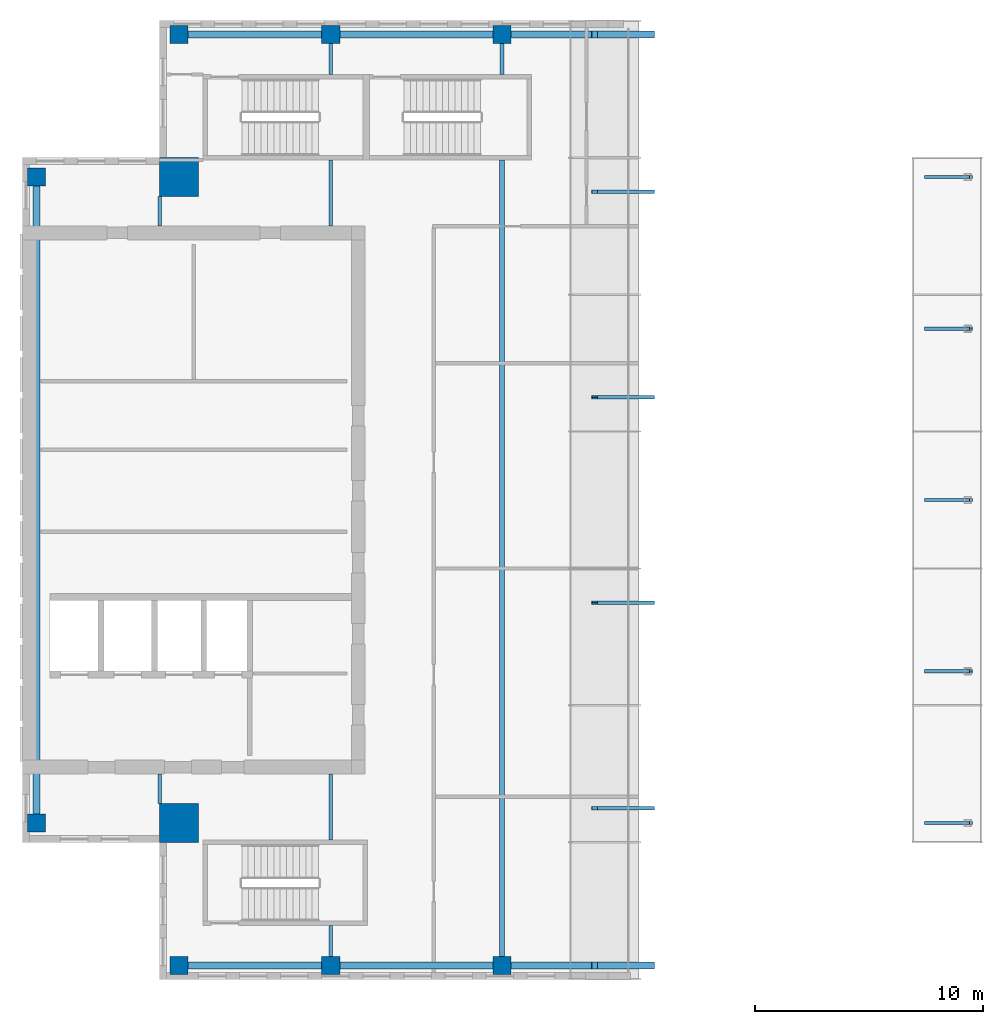
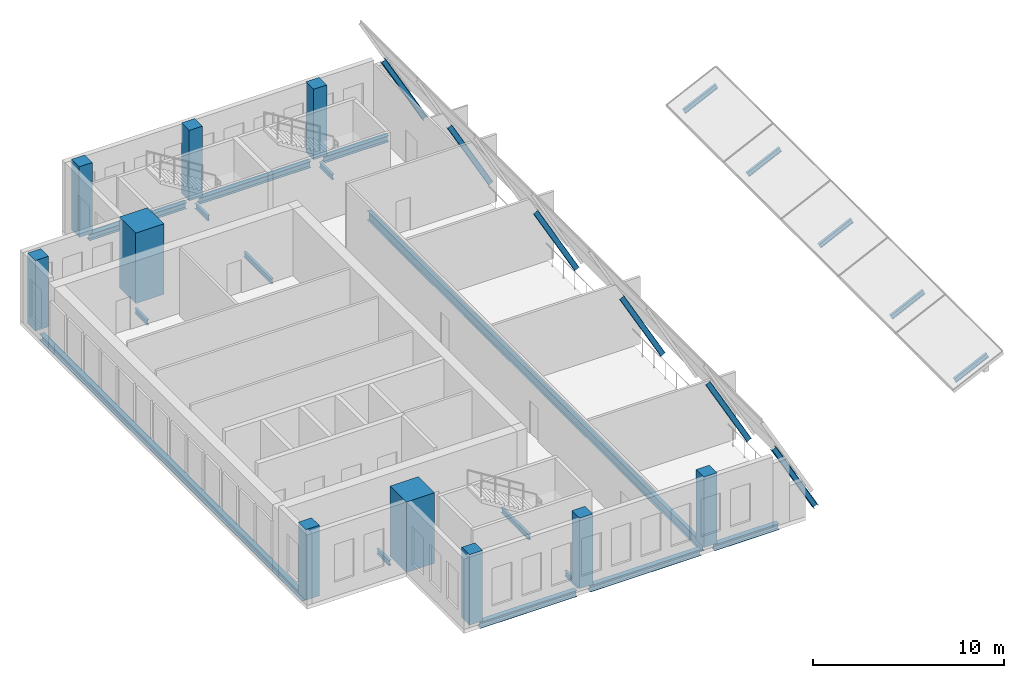
# One storey, part 1 of 7: 15 beams, 11 members, 10 columns.
"""IFC4 building model written with IfcOpenShell, lengths in metres."""

from ifc_helpers import new_model, si_unit, direction, frame, origin, origin_2d, place, context, subcontext, project, spatial, rectangle, i_section, extrude, source, transform, mapped, material, material_profile, profile_set, type_object, element, save


model = new_model("IFC4")

# Units and contexts
model_context = context("Model", 3, precision=1e-05, world=origin(), true_north=direction((0.0, 1.0)))
body_context = subcontext(model_context, "Body", "Model", "MODEL_VIEW")
ifc_project = project(units=[si_unit("LENGTHUNIT", "METRE"), si_unit("AREAUNIT", "SQUARE_METRE"), si_unit("VOLUMEUNIT", "CUBIC_METRE"), si_unit("PLANEANGLEUNIT", "RADIAN"), si_unit("MASSUNIT", "GRAM", prefix="KILO")], contexts=[model_context])

# Site, building, storey
site_placement = place(None, origin())
site = spatial("IfcSite", under=ifc_project, at=site_placement, CompositionType="ELEMENT")
building_placement = place(site_placement, origin())
building = spatial("IfcBuilding", under=site, at=building_placement, Name="Khomas Fold Tower", CompositionType="ELEMENT")
storey_placement = place(building_placement, frame((0.0, 0.0, 339.199951171875)))
storey = spatial("IfcBuildingStorey", under=building, at=storey_placement, Name="C3", CompositionType="ELEMENT", Elevation=339.199951171875)

# Columns
ifc_material_1 = material(Name="Concrete C60/75", Category="concrete")
ifc_material_profile_1 = material_profile(ifc_material_1, rectangle(XDim=1.699951171875, YDim=1.699951171875, at=origin_2d()), Name="RC 1700x1700")
ifc_profile_set_1 = profile_set([ifc_material_profile_1], Name="Concrete C60/75")
column_type_1 = type_object("IfcColumnType", Name="RC 1700x1700 column", PredefinedType="COLUMN", material=ifc_profile_set_1)
shared_shape_1 = source(origin(), body_context, "Body", "SweptSolid", [
    extrude(rectangle(XDim=1.699951171875, YDim=1.699951171875, at=origin_2d()), origin(), (0.0, 0.0, 1.0), 4.5),
])
for number, where, z_axis, x_axis, name in (
    (1, (12.85009765625, 41.14990234375, 0.0), (0.0, 0.0, 1.0), (1.0, 0.0, 0.0), "CM-NW"),
    (2, (12.85009765625, 12.85009765625, 0.0), (0.0, 0.0, 1.0), (1.0, 0.0, 0.0), "CM-SW"),
):
    element("IfcColumn", number, at=place(storey_placement, frame(where, z_axis=z_axis, x_axis=x_axis)), inside=storey, type_object=column_type_1, Name=name, PredefinedType="COLUMN", context=body_context, shape_type="MappedRepresentation", body=[
        mapped(shared_shape_1, transform((0.0, 0.0, 0.0))),
    ])
ifc_material_2 = material(Name="Concrete C50/60", Category="concrete")
ifc_material_profile_2 = material_profile(ifc_material_2, rectangle(XDim=0.800048828125, YDim=0.800048828125, at=origin_2d()), Name="RC 800x800")
ifc_profile_set_2 = profile_set([ifc_material_profile_2], Name="Concrete C50/60")
column_type_2 = type_object("IfcColumnType", Name="RC 800x800 column", PredefinedType="COLUMN", material=ifc_profile_set_2)
shared_shape_2 = source(origin(), body_context, "Body", "SweptSolid", [
    extrude(rectangle(XDim=0.800048828125, YDim=0.800048828125, at=origin_2d()), origin(), (0.0, 0.0, 1.0), 4.5),
])
for number, where, z_axis, x_axis, name in (
    (3, (12.85009765625, 6.60009765625, 0.0), (0.0, 0.0, 1.0), (1.0, 0.0, 0.0), "C-7-SF5"),
    (4, (19.5, 6.60009765625, 0.0), (0.0, 0.0, 1.0), (1.0, 0.0, 0.0), "C-8-SF5"),
    (5, (27.0, 6.60009765625, 0.0), (0.0, 0.0, 1.0), (1.0, 0.0, 0.0), "C-9-SF5"),
    (6, (12.85009765625, 47.39990234375, 0.0), (0.0, 0.0, 1.0), (1.0, 0.0, 0.0), "C-7-NF5"),
    (7, (19.5, 47.39990234375, 0.0), (0.0, 0.0, 1.0), (1.0, 0.0, 0.0), "C-8-NF5"),
    (8, (27.0, 47.39990234375, 0.0), (0.0, 0.0, 1.0), (1.0, 0.0, 0.0), "C-9-NF5"),
    (9, (6.60009765625, 12.85009765625, 0.0), (0.0, 0.0, 1.0), (1.0, 0.0, 0.0), "C-W5-G"),
    (10, (6.60009765625, 41.14990234375, 0.0), (0.0, 0.0, 1.0), (1.0, 0.0, 0.0), "C-W5-Q"),
):
    element("IfcColumn", number, at=place(storey_placement, frame(where, z_axis=z_axis, x_axis=x_axis)), inside=storey, type_object=column_type_2, Name=name, PredefinedType="COLUMN", context=body_context, shape_type="MappedRepresentation", body=[
        mapped(shared_shape_2, transform((0.0, 0.0, 0.0))),
    ])

# Beams
ifc_material_3 = material(Name="Steel S355", Category="steel")
ifc_material_profile_3 = material_profile(ifc_material_3, i_section(OverallWidth=0.159912109375, OverallDepth=0.330078125, WebThickness=0.007568359375, FlangeThickness=0.011474609375, at=origin_2d()), Name="IPE 330")
ifc_profile_set_3 = profile_set([ifc_material_profile_3], Name="Steel S355")
beam_type_1 = type_object("IfcBeamType", Name="IPE 330 beam JB1", PredefinedType="BEAM", material=ifc_profile_set_3)
shared_shape_3 = source(origin(), body_context, "Body", "SweptSolid", [
    extrude(i_section(OverallWidth=0.159912109375, OverallDepth=0.330078125, WebThickness=0.007568359375, FlangeThickness=0.011474609375, at=origin_2d()), origin(), (0.0, 0.0, 1.0), 2.89990234375),
])
for number, where, z_axis, x_axis, name in (
    (11, (19.5, 12.10009765625, -0.4150390625), (0.0, 1.0, 0.0), (-1.0, 0.0, 0.0), "JB1"),
    (12, (19.5, 39.0, -0.4150390625), (0.0, 1.0, 0.0), (-1.0, 0.0, 0.0), "JB1"),
):
    element("IfcBeam", number, at=place(storey_placement, frame(where, z_axis=z_axis, x_axis=x_axis)), inside=storey, type_object=beam_type_1, Name=name, PredefinedType="BEAM", context=body_context, shape_type="MappedRepresentation", body=[
        mapped(shared_shape_3, transform((0.0, 0.0, 0.0))),
    ])
shared_shape_4 = source(origin(), body_context, "Body", "SweptSolid", [
    extrude(i_section(OverallWidth=0.159912109375, OverallDepth=0.330078125, WebThickness=0.007568359375, FlangeThickness=0.011474609375, at=origin_2d()), origin(), (0.0, 0.0, 1.0), 1.35009765625),
])
for number, where, z_axis, x_axis, name in (
    (13, (19.5, 7.0, -0.4150390625), (0.0, 1.0, 0.0), (-1.0, 0.0, 0.0), "JB1"),
    (14, (19.5, 45.64990234375, -0.4150390625), (0.0, 1.0, 0.0), (-1.0, 0.0, 0.0), "JB1"),
    (15, (27.0, 45.64990234375, -0.4150390625), (0.0, 1.0, 0.0), (-1.0, 0.0, 0.0), "JB1"),
):
    element("IfcBeam", number, at=place(storey_placement, frame(where, z_axis=z_axis, x_axis=x_axis)), inside=storey, type_object=beam_type_1, Name=name, PredefinedType="BEAM", context=body_context, shape_type="MappedRepresentation", body=[
        mapped(shared_shape_4, transform((0.0, 0.0, 0.0))),
    ])
ifc_material_4 = material(Name="Steel S355", Category="steel")
ifc_material_profile_4 = material_profile(ifc_material_4, i_section(OverallWidth=0.300048828125, OverallDepth=0.39990234375, WebThickness=0.013427734375, FlangeThickness=0.02392578125, at=origin_2d()), Name="HE 400 B")
ifc_profile_set_4 = profile_set([ifc_material_profile_4], Name="Steel S355")
beam_type_2 = type_object("IfcBeamType", Name="HE 400 B spandrel SB5", PredefinedType="SPANDREL", material=ifc_profile_set_4)
shared_shape_5 = source(origin(), body_context, "Body", "SweptSolid", [
    extrude(i_section(OverallWidth=0.300048828125, OverallDepth=0.39990234375, WebThickness=0.013427734375, FlangeThickness=0.02392578125, at=origin_2d()), origin(), (0.0, 0.0, 1.0), 5.85009765625),
])
for number, where, z_axis, x_axis, name in (
    (16, (13.25, 6.60009765625, -0.449951171875), (1.0, 0.0, 0.0), (0.0, 1.0, 0.0), "SB5"),
    (17, (13.25, 47.39990234375, -0.449951171875), (1.0, 0.0, 0.0), (0.0, 1.0, 0.0), "SB5"),
):
    element("IfcBeam", number, at=place(storey_placement, frame(where, z_axis=z_axis, x_axis=x_axis)), inside=storey, type_object=beam_type_2, Name=name, PredefinedType="SPANDREL", context=body_context, shape_type="MappedRepresentation", body=[
        mapped(shared_shape_5, transform((0.0, 0.0, 0.0))),
    ])
shared_shape_6 = source(origin(), body_context, "Body", "SweptSolid", [
    extrude(i_section(OverallWidth=0.300048828125, OverallDepth=0.39990234375, WebThickness=0.013427734375, FlangeThickness=0.02392578125, at=origin_2d()), origin(), (0.0, 0.0, 1.0), 6.7001953125),
])
for number, where, z_axis, x_axis, name in (
    (18, (19.89990234375, 6.60009765625, -0.449951171875), (1.0, 0.0, 0.0), (0.0, 1.0, 0.0), "SB5"),
    (19, (19.89990234375, 47.39990234375, -0.449951171875), (1.0, 0.0, 0.0), (0.0, 1.0, 0.0), "SB5"),
):
    element("IfcBeam", number, at=place(storey_placement, frame(where, z_axis=z_axis, x_axis=x_axis)), inside=storey, type_object=beam_type_2, Name=name, PredefinedType="SPANDREL", context=body_context, shape_type="MappedRepresentation", body=[
        mapped(shared_shape_6, transform((0.0, 0.0, 0.0))),
    ])
shared_shape_7 = source(origin(), body_context, "Body", "SweptSolid", [
    extrude(i_section(OverallWidth=0.300048828125, OverallDepth=0.39990234375, WebThickness=0.013427734375, FlangeThickness=0.02392578125, at=origin_2d()), origin(), (0.0, 0.0, 1.0), 27.5),
])
beam_1_placement = place(storey_placement, frame((6.60009765625, 13.25, -0.449951171875), z_axis=(0.0, 1.0, 0.0), x_axis=(-1.0, 0.0, 0.0)))
element("IfcBeam", 20, at=beam_1_placement, inside=storey, type_object=beam_type_2, Name="SB5", PredefinedType="SPANDREL", context=body_context, shape_type="MappedRepresentation", body=[
    mapped(shared_shape_7, transform((0.0, 0.0, 0.0))),
])
shared_shape_8 = source(origin(), body_context, "Body", "SweptSolid", [
    extrude(i_section(OverallWidth=0.159912109375, OverallDepth=0.330078125, WebThickness=0.007568359375, FlangeThickness=0.011474609375, at=origin_2d()), origin(), (0.0, 0.0, 1.0), 1.300048828125),
])
for number, where, z_axis, x_axis, name in (
    (21, (12.0, 13.699951171875, -0.4150390625), (0.0, 1.0, 0.0), (-1.0, 0.0, 0.0), "JB1"),
    (22, (12.0, 39.0, -0.4150390625), (0.0, 1.0, 0.0), (-1.0, 0.0, 0.0), "JB1"),
):
    element("IfcBeam", number, at=place(storey_placement, frame(where, z_axis=z_axis, x_axis=x_axis)), inside=storey, type_object=beam_type_1, Name=name, PredefinedType="BEAM", context=body_context, shape_type="MappedRepresentation", body=[
        mapped(shared_shape_8, transform((0.0, 0.0, 0.0))),
    ])
ifc_material_5 = material(Name="Steel S355", Category="steel")
ifc_material_profile_5 = material_profile(ifc_material_5, i_section(OverallWidth=0.219970703125, OverallDepth=0.60009765625, WebThickness=0.011962890625, FlangeThickness=0.01904296875, at=origin_2d()), Name="IPE 600")
ifc_profile_set_5 = profile_set([ifc_material_profile_5], Name="Steel S355")
beam_type_3 = type_object("IfcBeamType", Name="IPE 600 beam JB7", PredefinedType="BEAM", material=ifc_profile_set_5)
shared_shape_9 = source(origin(), body_context, "Body", "SweptSolid", [
    extrude(i_section(OverallWidth=0.219970703125, OverallDepth=0.60009765625, WebThickness=0.011962890625, FlangeThickness=0.01904296875, at=origin_2d()), origin(), (0.0, 0.0, 1.0), 34.89990234375),
])
beam_2_placement = place(storey_placement, frame((27.0, 7.0, -0.550048828125), z_axis=(0.0, 1.0, 0.0), x_axis=(-1.0, 0.0, 0.0)))
element("IfcBeam", 23, at=beam_2_placement, inside=storey, type_object=beam_type_3, Name="JB7", PredefinedType="BEAM", context=body_context, shape_type="MappedRepresentation", body=[
    mapped(shared_shape_9, transform((0.0, 0.0, 0.0))),
])
shared_shape_10 = source(origin(), body_context, "Body", "SweptSolid", [
    extrude(i_section(OverallWidth=0.300048828125, OverallDepth=0.39990234375, WebThickness=0.013427734375, FlangeThickness=0.02392578125, at=origin_2d()), origin(), (0.0, 0.0, 1.0), 3.900146484375),
])
for number, where, z_axis, x_axis, name in (
    (24, (27.39990234375, 6.60009765625, -0.449951171875), (1.0, 0.0, 0.0), (0.0, 1.0, 0.0), "SB5"),
    (25, (27.39990234375, 47.39990234375, -0.449951171875), (1.0, 0.0, 0.0), (0.0, 1.0, 0.0), "SB5"),
):
    element("IfcBeam", number, at=place(storey_placement, frame(where, z_axis=z_axis, x_axis=x_axis)), inside=storey, type_object=beam_type_2, Name=name, PredefinedType="SPANDREL", context=body_context, shape_type="MappedRepresentation", body=[
        mapped(shared_shape_10, transform((0.0, 0.0, 0.0))),
    ])

# Members
ifc_material_6 = material(Name="Steel S355", Category="steel")
ifc_material_profile_6 = material_profile(ifc_material_6, i_section(OverallWidth=0.300048828125, OverallDepth=0.300048828125, WebThickness=0.010986328125, FlangeThickness=0.01904296875, at=origin_2d()), Name="HE 300 B")
ifc_profile_set_6 = profile_set([ifc_material_profile_6], Name="Steel S355")
member_type_1 = type_object("IfcMemberType", Name="ROOF RAFTER W C3 HE 300 B", PredefinedType="RAFTER", material=ifc_profile_set_6)
shared_shape_11 = source(origin(), body_context, "Body", "SweptSolid", [
    extrude(i_section(OverallWidth=0.300048828125, OverallDepth=0.300048828125, WebThickness=0.010986328125, FlangeThickness=0.01904296875, at=origin_2d()), origin(), (0.0, 0.0, 1.0), 5.142333984375),
])
for number, where, z_axis, x_axis, name in (
    (26, (33.544677734375, 6.60009765625, 0.0), (-0.483936852961, 0.0, 0.875102921002), (0.0, -1.0, 0.0), "CF-R1-W-C3"),
    (27, (33.544677734375, 47.39990234375, 0.0), (-0.483936852961, 0.0, 0.875102921002), (0.0, -1.0, 0.0), "CF-R1-W-C3"),
):
    element("IfcMember", number, at=place(storey_placement, frame(where, z_axis=z_axis, x_axis=x_axis)), inside=storey, type_object=member_type_1, Name=name, PredefinedType="RAFTER", context=body_context, shape_type="MappedRepresentation", body=[
        mapped(shared_shape_11, transform((0.0, 0.0, 0.0))),
    ])
ifc_material_7 = material(Name="Steel S355", Category="steel")
ifc_material_profile_7 = material_profile(ifc_material_7, i_section(OverallWidth=0.14990234375, OverallDepth=0.300048828125, WebThickness=0.007080078125, FlangeThickness=0.0107421875, at=origin_2d()), Name="IPE 300")
ifc_profile_set_7 = profile_set([ifc_material_profile_7], Name="Steel S355")
member_type_2 = type_object("IfcMemberType", Name="ROOF RAFTER W C3 IPE 300", PredefinedType="RAFTER", material=ifc_profile_set_7)
shared_shape_12 = source(origin(), body_context, "Body", "SweptSolid", [
    extrude(i_section(OverallWidth=0.14990234375, OverallDepth=0.300048828125, WebThickness=0.007080078125, FlangeThickness=0.0107421875, at=origin_2d()), origin(), (0.0, 0.0, 1.0), 5.142333984375),
])
for number, where, z_axis, x_axis, name in (
    (28, (33.544677734375, 13.5, 0.0), (-0.483936852961, 0.0, 0.875102921002), (0.0, -1.0, 0.0), "CF-R2-W-C3"),
    (29, (33.544677734375, 22.5, 0.0), (-0.483936852961, 0.0, 0.875102921002), (0.0, -1.0, 0.0), "CF-R2-W-C3"),
    (30, (33.544677734375, 31.5, 0.0), (-0.483936852961, 0.0, 0.875102921002), (0.0, -1.0, 0.0), "CF-R2-W-C3"),
    (31, (33.544677734375, 40.5, 0.0), (-0.483936852961, 0.0, 0.875102921002), (0.0, -1.0, 0.0), "CF-R2-W-C3"),
):
    element("IfcMember", number, at=place(storey_placement, frame(where, z_axis=z_axis, x_axis=x_axis)), inside=storey, type_object=member_type_2, Name=name, PredefinedType="RAFTER", context=body_context, shape_type="MappedRepresentation", body=[
        mapped(shared_shape_12, transform((0.0, 0.0, 0.0))),
    ])
ifc_material_8 = material(Name="Steel S355", Category="steel")
ifc_material_profile_8 = material_profile(ifc_material_8, i_section(OverallWidth=0.14990234375, OverallDepth=0.300048828125, WebThickness=0.007080078125, FlangeThickness=0.0107421875, at=origin_2d()), Name="IPE 300")
ifc_profile_set_8 = profile_set([ifc_material_profile_8], Name="Steel S355")
member_type_3 = type_object("IfcMemberType", Name="ROOF RAFTER E C3 IPE 300", PredefinedType="RAFTER", material=ifc_profile_set_8)
shared_shape_13 = source(origin(), body_context, "Body", "SweptSolid", [
    extrude(i_section(OverallWidth=0.14990234375, OverallDepth=0.300048828125, WebThickness=0.007080078125, FlangeThickness=0.0107421875, at=origin_2d()), origin(), (0.0, 0.0, 1.0), 2.2001953125),
])
for number, where, z_axis, x_axis, name in (
    (32, (45.56591796875, 12.85009765625, 0.0), (0.901824136596, 0.0, 0.432103259248), (0.0, 1.0, 0.0), "CF-R2-E-C3"),
    (33, (45.56591796875, 19.5, 0.0), (0.901824136596, 0.0, 0.432103259248), (0.0, 1.0, 0.0), "CF-R2-E-C3"),
    (34, (45.56591796875, 27.0, 0.0), (0.901824136596, 0.0, 0.432103259248), (0.0, 1.0, 0.0), "CF-R2-E-C3"),
    (35, (45.56591796875, 34.5, 0.0), (0.901824136596, 0.0, 0.432103259248), (0.0, 1.0, 0.0), "CF-R2-E-C3"),
    (36, (45.56591796875, 41.14990234375, 0.0), (0.901824136596, 0.0, 0.432103259248), (0.0, 1.0, 0.0), "CF-R2-E-C3"),
):
    element("IfcMember", number, at=place(storey_placement, frame(where, z_axis=z_axis, x_axis=x_axis)), inside=storey, type_object=member_type_3, Name=name, PredefinedType="RAFTER", context=body_context, shape_type="MappedRepresentation", body=[
        mapped(shared_shape_13, transform((0.0, 0.0, 0.0))),
    ])

save(model, "model.ifc")
